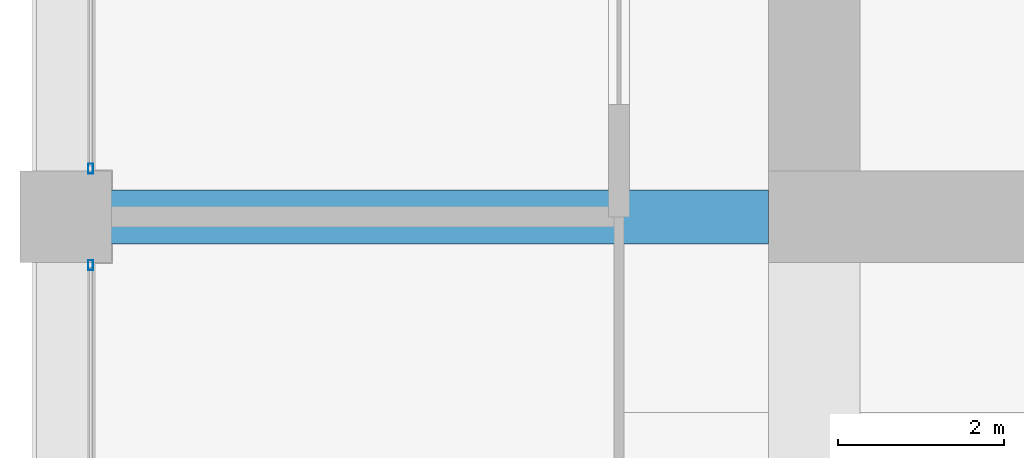
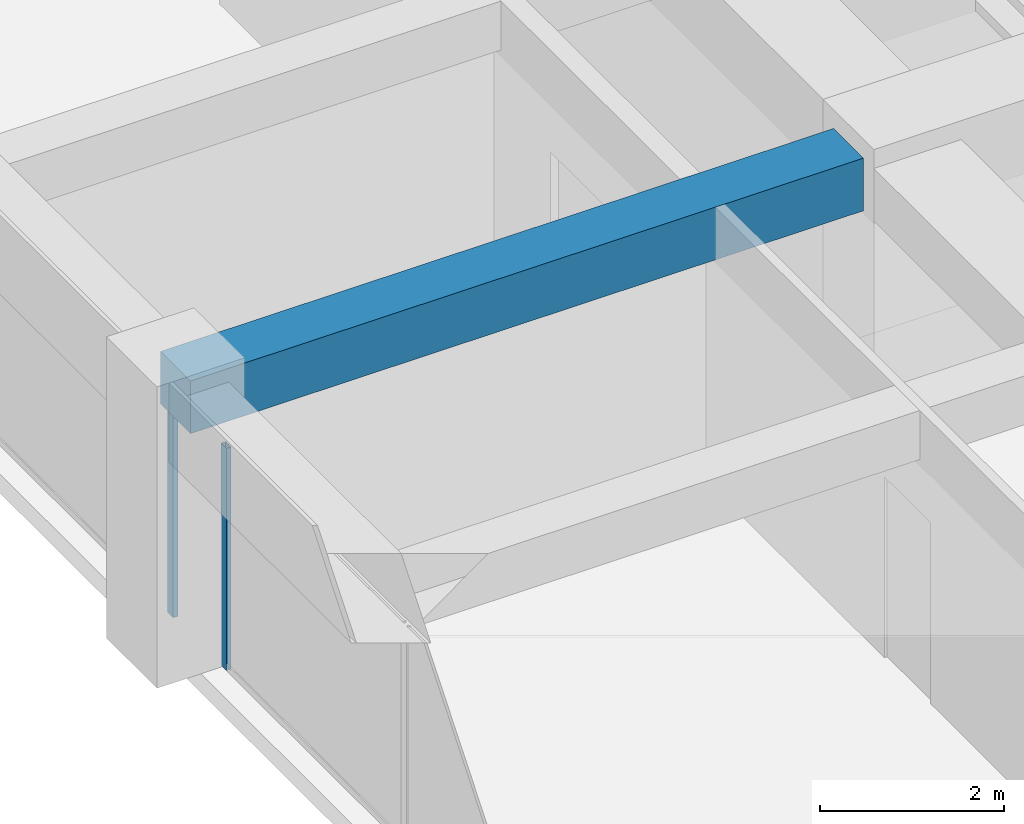
# One storey, part 13 of 44: 2 members, 1 beam, 2 elements without a shape of their own.
"""IFC4 building model written with IfcOpenShell, lengths in metres."""

from ifc_helpers import new_model, si_unit, direction, frame, origin, origin_2d, place, context, subcontext, project, spatial, rectangle, hollow_rectangle, extrude, material, material_profile, profile_set, type_object, element, aggregate, save


model = new_model("IFC4")

# Units and contexts
model_context = context("Model", 3, precision=1e-05, world=origin(), true_north=direction((0.0, 1.0)))
body_context = subcontext(model_context, "Body", "Model", "MODEL_VIEW")
ifc_project = project(units=[si_unit("LENGTHUNIT", "METRE"), si_unit("AREAUNIT", "SQUARE_METRE"), si_unit("VOLUMEUNIT", "CUBIC_METRE"), si_unit("PLANEANGLEUNIT", "RADIAN"), si_unit("MASSUNIT", "GRAM", prefix="KILO")], contexts=[model_context])

# Site, building, storey
site_placement = place(None, origin())
site = spatial("IfcSite", under=ifc_project, at=site_placement, CompositionType="ELEMENT")
building_placement = place(site_placement, origin())
building = spatial("IfcBuilding", under=site, at=building_placement, Name="Zorevar Civic Tower", CompositionType="ELEMENT")
storey_placement = place(building_placement, frame((0.0, 0.0, 271.39990234375)))
storey = spatial("IfcBuildingStorey", under=building, at=storey_placement, Name="L66", CompositionType="ELEMENT", Elevation=271.39990234375)

# Beam
ifc_material_1 = material(Name="Concrete C50/60", Category="concrete")
ifc_material_profile_1 = material_profile(ifc_material_1, rectangle(XDim=0.64990234375, YDim=0.699951171875, at=origin_2d()), Name="RC 650x700")
ifc_profile_set_1 = profile_set([ifc_material_profile_1], Name="Concrete C50/60")
beam_type = type_object("IfcBeamType", Name="Beam RC 650x700", PredefinedType="BEAM", material=ifc_profile_set_1)
beam_placement = place(storey_placement, frame((9.0, 18.0, 3.400146484375), z_axis=(1.0, 0.0, 0.0), x_axis=(0.0, 1.0, 0.0)))
element("IfcBeam", 1, at=beam_placement, inside=storey, type_object=beam_type, Name="Girder L67", PredefinedType="BEAM", context=body_context, shape_type="SweptSolid", body=[
    extrude(rectangle(XDim=0.64990234375, YDim=0.699951171875, at=origin_2d()), origin(), (0.0, 0.0, 1.0), 8.449951171875),
])

# Curtain wall, member
ifc_material_2 = material(Name="Dark grey solar-control glass in black aluminium frame", Category="aluminium")
curtain_wall_type = type_object("IfcCurtainWallType", Name="Curtain wall CW5 top zone", PredefinedType="NOTDEFINED", material=ifc_material_2)
curtain_wall_1_placement = place(storey_placement, origin())
curtain_wall_1 = element("IfcCurtainWall", 2, at=curtain_wall_1_placement, inside=storey, type_object=curtain_wall_type, Name="CW5 L66", PredefinedType="NOTDEFINED")
ifc_material_3 = material(Name="Aluminium, black anodised", Category="aluminium")
ifc_material_profile_2 = material_profile(ifc_material_3, hollow_rectangle(XDim=0.06005859375, YDim=0.1201171875, WallThickness=0.0029296875, at=origin_2d()), Name="AL 120x60x3")
ifc_profile_set_2 = profile_set([ifc_material_profile_2], Name="Aluminium, black anodised")
member_type = type_object("IfcMemberType", Name="CW5 mullion AL 120x60x3", PredefinedType="MULLION", material=ifc_profile_set_2)
member_1_placement = place(storey_placement, frame((9.300048828125, 17.419921875, 0.0), z_axis=(0.0, 0.0, 1.0), x_axis=(-1.0, 0.0, 0.0)))
member_1 = element("IfcMember", 3, at=member_1_placement, type_object=member_type, Name="CW5 mullion 3", PredefinedType="MULLION", context=body_context, shape_type="SweptSolid", body=[
    extrude(hollow_rectangle(XDim=0.06005859375, YDim=0.1201171875, WallThickness=0.0029296875, at=origin_2d()), origin(), (0.0, 0.0, 1.0), 2.9501953125),
])
aggregate(curtain_wall_1, [member_1])

curtain_wall_2_placement = place(storey_placement, origin())
curtain_wall_2 = element("IfcCurtainWall", 4, at=curtain_wall_2_placement, inside=storey, type_object=curtain_wall_type, Name="CW5 L66", PredefinedType="NOTDEFINED")
member_2_placement = place(storey_placement, frame((9.300048828125, 18.580078125, 0.0), z_axis=(0.0, 0.0, 1.0), x_axis=(-1.0, 0.0, 0.0)))
member_2 = element("IfcMember", 5, at=member_2_placement, type_object=member_type, Name="CW5 mullion 1", PredefinedType="MULLION", context=body_context, shape_type="SweptSolid", body=[
    extrude(hollow_rectangle(XDim=0.06005859375, YDim=0.1201171875, WallThickness=0.0029296875, at=origin_2d()), origin(), (0.0, 0.0, 1.0), 2.9501953125),
])
aggregate(curtain_wall_2, [member_2])

save(model, "model.ifc")
